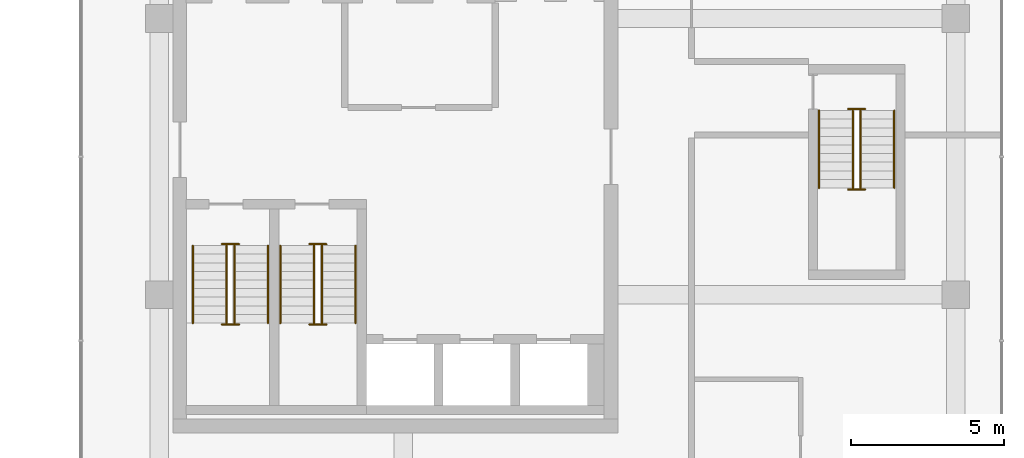
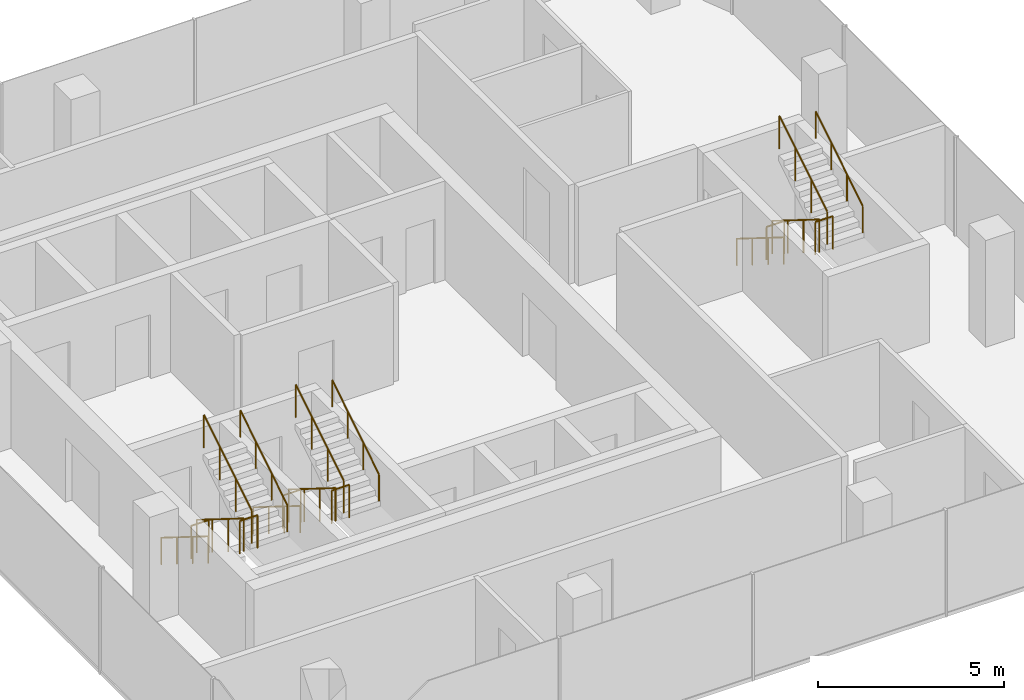
# One storey, part 22 of 22: 18 railings.
"""IFC4 building model written with IfcOpenShell, lengths in metres."""

from ifc_helpers import new_model, si_unit, direction, frame, origin, origin_2d, place, context, subcontext, project, spatial, circle, extrude, material, type_object, element, save


model = new_model("IFC4")

# Units and contexts
model_context = context("Model", 3, precision=1e-05, world=origin(), true_north=direction((0.0, 1.0)))
body_context = subcontext(model_context, "Body", "Model", "MODEL_VIEW")
ifc_project = project(units=[si_unit("LENGTHUNIT", "METRE"), si_unit("AREAUNIT", "SQUARE_METRE"), si_unit("VOLUMEUNIT", "CUBIC_METRE"), si_unit("PLANEANGLEUNIT", "RADIAN"), si_unit("MASSUNIT", "GRAM", prefix="KILO")], contexts=[model_context])

# Site, building, storey
site_placement = place(None, origin())
site = spatial("IfcSite", under=ifc_project, at=site_placement, CompositionType="ELEMENT")
building_placement = place(site_placement, origin())
building = spatial("IfcBuilding", under=site, at=building_placement, Name="Plateau Cross Towers", CompositionType="ELEMENT")
storey_placement = place(building_placement, frame((0.0, 0.0, 65.300048828125)))
storey = spatial("IfcBuildingStorey", under=building, at=storey_placement, Name="L16", CompositionType="ELEMENT", Elevation=65.300048828125)

# Railings
ifc_material_1 = material(Name="Stainless steel and toughened glass", Category="steel")
railing_type_1 = type_object("IfcRailingType", Name="RL-GUARD-1100", PredefinedType="GUARDRAIL", material=ifc_material_1)
railing_1_placement = place(storey_placement, frame((76.75, 6.10009765625, 0.175048828125)))
element("IfcRailing", 1, at=railing_1_placement, inside=storey, type_object=railing_type_1, Name="L16 SB-1 stair guard 1", PredefinedType="GUARDRAIL", context=body_context, shape_type="SweptSolid", body=[
    extrude(circle(Radius=0.02392578125, at=origin_2d()), frame((0.0, 0.0, 1.076171875), z_axis=(0.0, -0.848007534815, 0.529984170421), x_axis=(1.0, 0.0, 0.0)), (0.0, 0.0, 1.0), 2.9716796875),
    extrude(circle(Radius=0.02099609375, at=origin_2d()), origin(), (0.0, 0.0, 1.0), 1.052001953125),
    extrude(circle(Radius=0.02099609375, at=origin_2d()), frame((0.0, -0.840087890625, 0.52490234375)), (0.0, 0.0, 1.0), 1.052001953125),
    extrude(circle(Radius=0.02099609375, at=origin_2d()), frame((0.0, -1.679931640625, 1.050048828125)), (0.0, 0.0, 1.0), 1.052001953125),
    extrude(circle(Radius=0.02099609375, at=origin_2d()), frame((0.0, -2.52001953125, 1.574951171875)), (0.0, 0.0, 1.0), 1.052001953125),
])
railing_2_placement = place(storey_placement, frame((76.60009765625, 3.530029296875, 1.75)))
element("IfcRailing", 2, at=railing_2_placement, inside=storey, type_object=railing_type_1, Name="L16 SB-1 stair guard 2", PredefinedType="GUARDRAIL", context=body_context, shape_type="SweptSolid", body=[
    extrude(circle(Radius=0.02392578125, at=origin_2d()), frame((0.0, 0.0, 1.076171875), z_axis=(1.0, 0.0, 0.0), x_axis=(0.0, 1.0, 0.0)), (0.0, 0.0, 1.0), 0.5498046875),
    extrude(circle(Radius=0.02099609375, at=origin_2d()), origin(), (0.0, 0.0, 1.0), 1.052001953125),
    extrude(circle(Radius=0.02099609375, at=origin_2d()), frame((0.5498046875, 0.0, 0.0)), (0.0, 0.0, 1.0), 1.052001953125),
])
railing_3_placement = place(storey_placement, frame((77.0, 3.580078125, 1.925048828125)))
element("IfcRailing", 3, at=railing_3_placement, inside=storey, type_object=railing_type_1, Name="L16 SB-1 stair guard 3", PredefinedType="GUARDRAIL", context=body_context, shape_type="SweptSolid", body=[
    extrude(circle(Radius=0.02392578125, at=origin_2d()), frame((0.0, 0.0, 1.076171875), z_axis=(0.0, 0.852616386126, 0.522537365276), x_axis=(-1.0, 0.0, 0.0)), (0.0, 0.0, 1.0), 3.01416015625),
    extrude(circle(Radius=0.02099609375, at=origin_2d()), origin(), (0.0, 0.0, 1.0), 1.052001953125),
    extrude(circle(Radius=0.02099609375, at=origin_2d()), frame((0.0, 0.856689453125, 0.52490234375)), (0.0, 0.0, 1.0), 1.052001953125),
    extrude(circle(Radius=0.02099609375, at=origin_2d()), frame((0.0, 1.713134765625, 1.050048828125)), (0.0, 0.0, 1.0), 1.052001953125),
    extrude(circle(Radius=0.02099609375, at=origin_2d()), frame((0.0, 2.56982421875, 1.574951171875)), (0.0, 0.0, 1.0), 1.052001953125),
])
railing_4_placement = place(storey_placement, frame((76.60009765625, 6.14990234375, 0.0)))
element("IfcRailing", 4, at=railing_4_placement, inside=storey, type_object=railing_type_1, Name="L16 SB-1 stair guard 4", PredefinedType="GUARDRAIL", context=body_context, shape_type="SweptSolid", body=[
    extrude(circle(Radius=0.02392578125, at=origin_2d()), frame((0.0, 0.0, 1.076171875), z_axis=(1.0, 0.0, 0.0), x_axis=(0.0, 1.0, 0.0)), (0.0, 0.0, 1.0), 0.5498046875),
    extrude(circle(Radius=0.02099609375, at=origin_2d()), origin(), (0.0, 0.0, 1.0), 1.052001953125),
    extrude(circle(Radius=0.02099609375, at=origin_2d()), frame((0.5498046875, 0.0, 0.0)), (0.0, 0.0, 1.0), 1.052001953125),
])
railing_5_placement = place(storey_placement, frame((79.60009765625, 6.10009765625, 0.175048828125)))
element("IfcRailing", 5, at=railing_5_placement, inside=storey, type_object=railing_type_1, Name="L16 SB-2 stair guard 1", PredefinedType="GUARDRAIL", context=body_context, shape_type="SweptSolid", body=[
    extrude(circle(Radius=0.02392578125, at=origin_2d()), frame((0.0, 0.0, 1.076171875), z_axis=(0.0, -0.848007534815, 0.529984170421), x_axis=(1.0, 0.0, 0.0)), (0.0, 0.0, 1.0), 2.9716796875),
    extrude(circle(Radius=0.02099609375, at=origin_2d()), origin(), (0.0, 0.0, 1.0), 1.052001953125),
    extrude(circle(Radius=0.02099609375, at=origin_2d()), frame((0.0, -0.840087890625, 0.52490234375)), (0.0, 0.0, 1.0), 1.052001953125),
    extrude(circle(Radius=0.02099609375, at=origin_2d()), frame((0.0, -1.679931640625, 1.050048828125)), (0.0, 0.0, 1.0), 1.052001953125),
    extrude(circle(Radius=0.02099609375, at=origin_2d()), frame((0.0, -2.52001953125, 1.574951171875)), (0.0, 0.0, 1.0), 1.052001953125),
])
railing_6_placement = place(storey_placement, frame((79.449951171875, 3.530029296875, 1.75)))
element("IfcRailing", 6, at=railing_6_placement, inside=storey, type_object=railing_type_1, Name="L16 SB-2 stair guard 2", PredefinedType="GUARDRAIL", context=body_context, shape_type="SweptSolid", body=[
    extrude(circle(Radius=0.02392578125, at=origin_2d()), frame((0.0, 0.0, 1.076171875), z_axis=(1.0, 0.0, 0.0), x_axis=(0.0, 1.0, 0.0)), (0.0, 0.0, 1.0), 0.550048828125),
    extrude(circle(Radius=0.02099609375, at=origin_2d()), origin(), (0.0, 0.0, 1.0), 1.052001953125),
    extrude(circle(Radius=0.02099609375, at=origin_2d()), frame((0.550048828125, 0.0, 0.0)), (0.0, 0.0, 1.0), 1.052001953125),
])
railing_7_placement = place(storey_placement, frame((79.85009765625, 3.580078125, 1.925048828125)))
element("IfcRailing", 7, at=railing_7_placement, inside=storey, type_object=railing_type_1, Name="L16 SB-2 stair guard 3", PredefinedType="GUARDRAIL", context=body_context, shape_type="SweptSolid", body=[
    extrude(circle(Radius=0.02392578125, at=origin_2d()), frame((0.0, 0.0, 1.076171875), z_axis=(0.0, 0.852616386126, 0.522537365276), x_axis=(-1.0, 0.0, 0.0)), (0.0, 0.0, 1.0), 3.01416015625),
    extrude(circle(Radius=0.02099609375, at=origin_2d()), origin(), (0.0, 0.0, 1.0), 1.052001953125),
    extrude(circle(Radius=0.02099609375, at=origin_2d()), frame((0.0, 0.856689453125, 0.52490234375)), (0.0, 0.0, 1.0), 1.052001953125),
    extrude(circle(Radius=0.02099609375, at=origin_2d()), frame((0.0, 1.713134765625, 1.050048828125)), (0.0, 0.0, 1.0), 1.052001953125),
    extrude(circle(Radius=0.02099609375, at=origin_2d()), frame((0.0, 2.56982421875, 1.574951171875)), (0.0, 0.0, 1.0), 1.052001953125),
])
railing_8_placement = place(storey_placement, frame((79.449951171875, 6.14990234375, 0.0)))
element("IfcRailing", 8, at=railing_8_placement, inside=storey, type_object=railing_type_1, Name="L16 SB-2 stair guard 4", PredefinedType="GUARDRAIL", context=body_context, shape_type="SweptSolid", body=[
    extrude(circle(Radius=0.02392578125, at=origin_2d()), frame((0.0, 0.0, 1.076171875), z_axis=(1.0, 0.0, 0.0), x_axis=(0.0, 1.0, 0.0)), (0.0, 0.0, 1.0), 0.550048828125),
    extrude(circle(Radius=0.02099609375, at=origin_2d()), origin(), (0.0, 0.0, 1.0), 1.052001953125),
    extrude(circle(Radius=0.02099609375, at=origin_2d()), frame((0.550048828125, 0.0, 0.0)), (0.0, 0.0, 1.0), 1.052001953125),
])
railing_9_placement = place(storey_placement, frame((97.14990234375, 10.5, 0.175048828125)))
element("IfcRailing", 9, at=railing_9_placement, inside=storey, type_object=railing_type_1, Name="L16 SB-3 stair guard 1", PredefinedType="GUARDRAIL", context=body_context, shape_type="SweptSolid", body=[
    extrude(circle(Radius=0.02392578125, at=origin_2d()), frame((0.0, 0.0, 1.076171875), z_axis=(0.0, -0.848007534815, 0.529984170421), x_axis=(1.0, 0.0, 0.0)), (0.0, 0.0, 1.0), 2.9716796875),
    extrude(circle(Radius=0.02099609375, at=origin_2d()), origin(), (0.0, 0.0, 1.0), 1.052001953125),
    extrude(circle(Radius=0.02099609375, at=origin_2d()), frame((0.0, -0.840087890625, 0.52490234375)), (0.0, 0.0, 1.0), 1.052001953125),
    extrude(circle(Radius=0.02099609375, at=origin_2d()), frame((0.0, -1.679931640625, 1.050048828125)), (0.0, 0.0, 1.0), 1.052001953125),
    extrude(circle(Radius=0.02099609375, at=origin_2d()), frame((0.0, -2.52001953125, 1.574951171875)), (0.0, 0.0, 1.0), 1.052001953125),
])
railing_10_placement = place(storey_placement, frame((97.0, 7.929931640625, 1.75)))
element("IfcRailing", 10, at=railing_10_placement, inside=storey, type_object=railing_type_1, Name="L16 SB-3 stair guard 2", PredefinedType="GUARDRAIL", context=body_context, shape_type="SweptSolid", body=[
    extrude(circle(Radius=0.02392578125, at=origin_2d()), frame((0.0, 0.0, 1.076171875), z_axis=(1.0, 0.0, 0.0), x_axis=(0.0, 1.0, 0.0)), (0.0, 0.0, 1.0), 0.550048828125),
    extrude(circle(Radius=0.02099609375, at=origin_2d()), origin(), (0.0, 0.0, 1.0), 1.052001953125),
    extrude(circle(Radius=0.02099609375, at=origin_2d()), frame((0.550048828125, 0.0, 0.0)), (0.0, 0.0, 1.0), 1.052001953125),
])
railing_11_placement = place(storey_placement, frame((97.39990234375, 7.97998046875, 1.925048828125)))
element("IfcRailing", 11, at=railing_11_placement, inside=storey, type_object=railing_type_1, Name="L16 SB-3 stair guard 3", PredefinedType="GUARDRAIL", context=body_context, shape_type="SweptSolid", body=[
    extrude(circle(Radius=0.02392578125, at=origin_2d()), frame((0.0, 0.0, 1.076171875), z_axis=(0.0, 0.852638500773, 0.522501279423), x_axis=(-1.0, 0.0, 0.0)), (0.0, 0.0, 1.0), 3.01416015625),
    extrude(circle(Radius=0.02099609375, at=origin_2d()), origin(), (0.0, 0.0, 1.0), 1.052001953125),
    extrude(circle(Radius=0.02099609375, at=origin_2d()), frame((0.0, 0.856689453125, 0.52490234375)), (0.0, 0.0, 1.0), 1.052001953125),
    extrude(circle(Radius=0.02099609375, at=origin_2d()), frame((0.0, 1.71337890625, 1.050048828125)), (0.0, 0.0, 1.0), 1.052001953125),
    extrude(circle(Radius=0.02099609375, at=origin_2d()), frame((0.0, 2.570068359375, 1.574951171875)), (0.0, 0.0, 1.0), 1.052001953125),
])
railing_12_placement = place(storey_placement, frame((97.0, 10.550048828125, 0.0)))
element("IfcRailing", 12, at=railing_12_placement, inside=storey, type_object=railing_type_1, Name="L16 SB-3 stair guard 4", PredefinedType="GUARDRAIL", context=body_context, shape_type="SweptSolid", body=[
    extrude(circle(Radius=0.02392578125, at=origin_2d()), frame((0.0, 0.0, 1.076171875), z_axis=(1.0, 0.0, 0.0), x_axis=(0.0, 1.0, 0.0)), (0.0, 0.0, 1.0), 0.550048828125),
    extrude(circle(Radius=0.02099609375, at=origin_2d()), origin(), (0.0, 0.0, 1.0), 1.052001953125),
    extrude(circle(Radius=0.02099609375, at=origin_2d()), frame((0.550048828125, 0.0, 0.0)), (0.0, 0.0, 1.0), 1.052001953125),
])
ifc_material_2 = material(Name="Black anodised aluminium", Category="aluminium")
railing_type_2 = type_object("IfcRailingType", Name="RL-HANDRAIL-900", PredefinedType="HANDRAIL", material=ifc_material_2)
railing_13_placement = place(storey_placement, frame((75.64990234375, 6.10009765625, 0.175048828125)))
element("IfcRailing", 13, at=railing_13_placement, inside=storey, type_object=railing_type_2, Name="L16 SB-1 stair handrail 1", PredefinedType="HANDRAIL", context=body_context, shape_type="SweptSolid", body=[
    extrude(circle(Radius=0.02392578125, at=origin_2d()), frame((0.0, 0.0, 0.8759765625), z_axis=(0.0, -0.848007534815, 0.529984170421), x_axis=(1.0, 0.0, 0.0)), (0.0, 0.0, 1.0), 2.9716796875),
    extrude(circle(Radius=0.02099609375, at=origin_2d()), origin(), (0.0, 0.0, 1.0), 0.851806640625),
    extrude(circle(Radius=0.02099609375, at=origin_2d()), frame((0.0, -0.840087890625, 0.52490234375)), (0.0, 0.0, 1.0), 0.851806640625),
    extrude(circle(Radius=0.02099609375, at=origin_2d()), frame((0.0, -1.679931640625, 1.050048828125)), (0.0, 0.0, 1.0), 0.851806640625),
    extrude(circle(Radius=0.02099609375, at=origin_2d()), frame((0.0, -2.52001953125, 1.574951171875)), (0.0, 0.0, 1.0), 0.851806640625),
])
railing_14_placement = place(storey_placement, frame((78.10009765625, 3.580078125, 1.925048828125)))
element("IfcRailing", 14, at=railing_14_placement, inside=storey, type_object=railing_type_2, Name="L16 SB-1 stair handrail 2", PredefinedType="HANDRAIL", context=body_context, shape_type="SweptSolid", body=[
    extrude(circle(Radius=0.02392578125, at=origin_2d()), frame((0.0, 0.0, 0.8759765625), z_axis=(0.0, 0.848007534815, 0.529984170421), x_axis=(-1.0, 0.0, 0.0)), (0.0, 0.0, 1.0), 2.9716796875),
    extrude(circle(Radius=0.02099609375, at=origin_2d()), origin(), (0.0, 0.0, 1.0), 0.851806640625),
    extrude(circle(Radius=0.02099609375, at=origin_2d()), frame((0.0, 0.840087890625, 0.52490234375)), (0.0, 0.0, 1.0), 0.851806640625),
    extrude(circle(Radius=0.02099609375, at=origin_2d()), frame((0.0, 1.679931640625, 1.050048828125)), (0.0, 0.0, 1.0), 0.851806640625),
    extrude(circle(Radius=0.02099609375, at=origin_2d()), frame((0.0, 2.52001953125, 1.574951171875)), (0.0, 0.0, 1.0), 0.851806640625),
])
railing_15_placement = place(storey_placement, frame((78.5, 6.10009765625, 0.175048828125)))
element("IfcRailing", 15, at=railing_15_placement, inside=storey, type_object=railing_type_2, Name="L16 SB-2 stair handrail 1", PredefinedType="HANDRAIL", context=body_context, shape_type="SweptSolid", body=[
    extrude(circle(Radius=0.02392578125, at=origin_2d()), frame((0.0, 0.0, 0.8759765625), z_axis=(0.0, -0.848007534815, 0.529984170421), x_axis=(1.0, 0.0, 0.0)), (0.0, 0.0, 1.0), 2.9716796875),
    extrude(circle(Radius=0.02099609375, at=origin_2d()), origin(), (0.0, 0.0, 1.0), 0.851806640625),
    extrude(circle(Radius=0.02099609375, at=origin_2d()), frame((0.0, -0.840087890625, 0.52490234375)), (0.0, 0.0, 1.0), 0.851806640625),
    extrude(circle(Radius=0.02099609375, at=origin_2d()), frame((0.0, -1.679931640625, 1.050048828125)), (0.0, 0.0, 1.0), 0.851806640625),
    extrude(circle(Radius=0.02099609375, at=origin_2d()), frame((0.0, -2.52001953125, 1.574951171875)), (0.0, 0.0, 1.0), 0.851806640625),
])
railing_16_placement = place(storey_placement, frame((80.949951171875, 3.580078125, 1.925048828125)))
element("IfcRailing", 16, at=railing_16_placement, inside=storey, type_object=railing_type_2, Name="L16 SB-2 stair handrail 2", PredefinedType="HANDRAIL", context=body_context, shape_type="SweptSolid", body=[
    extrude(circle(Radius=0.02392578125, at=origin_2d()), frame((0.0, 0.0, 0.8759765625), z_axis=(0.0, 0.848007534815, 0.529984170421), x_axis=(-1.0, 0.0, 0.0)), (0.0, 0.0, 1.0), 2.9716796875),
    extrude(circle(Radius=0.02099609375, at=origin_2d()), origin(), (0.0, 0.0, 1.0), 0.851806640625),
    extrude(circle(Radius=0.02099609375, at=origin_2d()), frame((0.0, 0.840087890625, 0.52490234375)), (0.0, 0.0, 1.0), 0.851806640625),
    extrude(circle(Radius=0.02099609375, at=origin_2d()), frame((0.0, 1.679931640625, 1.050048828125)), (0.0, 0.0, 1.0), 0.851806640625),
    extrude(circle(Radius=0.02099609375, at=origin_2d()), frame((0.0, 2.52001953125, 1.574951171875)), (0.0, 0.0, 1.0), 0.851806640625),
])
railing_17_placement = place(storey_placement, frame((96.050048828125, 10.5, 0.175048828125)))
element("IfcRailing", 17, at=railing_17_placement, inside=storey, type_object=railing_type_2, Name="L16 SB-3 stair handrail 1", PredefinedType="HANDRAIL", context=body_context, shape_type="SweptSolid", body=[
    extrude(circle(Radius=0.02392578125, at=origin_2d()), frame((0.0, 0.0, 0.8759765625), z_axis=(0.0, -0.848007534815, 0.529984170421), x_axis=(1.0, 0.0, 0.0)), (0.0, 0.0, 1.0), 2.9716796875),
    extrude(circle(Radius=0.02099609375, at=origin_2d()), origin(), (0.0, 0.0, 1.0), 0.851806640625),
    extrude(circle(Radius=0.02099609375, at=origin_2d()), frame((0.0, -0.840087890625, 0.52490234375)), (0.0, 0.0, 1.0), 0.851806640625),
    extrude(circle(Radius=0.02099609375, at=origin_2d()), frame((0.0, -1.679931640625, 1.050048828125)), (0.0, 0.0, 1.0), 0.851806640625),
    extrude(circle(Radius=0.02099609375, at=origin_2d()), frame((0.0, -2.52001953125, 1.574951171875)), (0.0, 0.0, 1.0), 0.851806640625),
])
railing_18_placement = place(storey_placement, frame((98.5, 7.97998046875, 1.925048828125)))
element("IfcRailing", 18, at=railing_18_placement, inside=storey, type_object=railing_type_2, Name="L16 SB-3 stair handrail 2", PredefinedType="HANDRAIL", context=body_context, shape_type="SweptSolid", body=[
    extrude(circle(Radius=0.02392578125, at=origin_2d()), frame((0.0, 0.0, 0.8759765625), z_axis=(0.0, 0.848007534815, 0.529984170421), x_axis=(-1.0, 0.0, 0.0)), (0.0, 0.0, 1.0), 2.9716796875),
    extrude(circle(Radius=0.02099609375, at=origin_2d()), origin(), (0.0, 0.0, 1.0), 0.851806640625),
    extrude(circle(Radius=0.02099609375, at=origin_2d()), frame((0.0, 0.840087890625, 0.52490234375)), (0.0, 0.0, 1.0), 0.851806640625),
    extrude(circle(Radius=0.02099609375, at=origin_2d()), frame((0.0, 1.679931640625, 1.050048828125)), (0.0, 0.0, 1.0), 0.851806640625),
    extrude(circle(Radius=0.02099609375, at=origin_2d()), frame((0.0, 2.52001953125, 1.574951171875)), (0.0, 0.0, 1.0), 0.851806640625),
])

save(model, "model.ifc")
